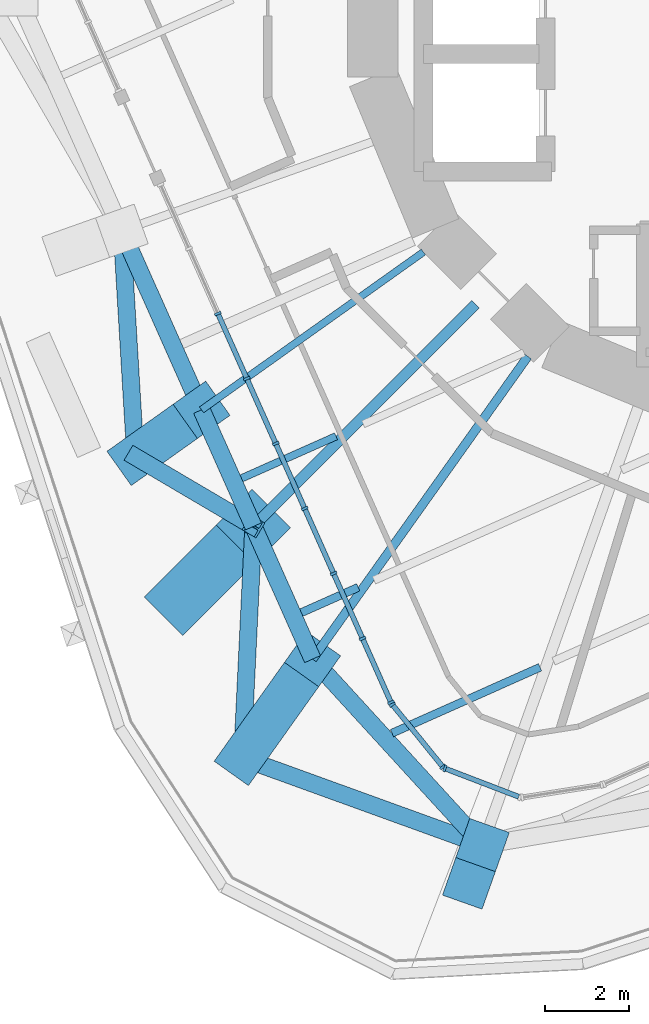
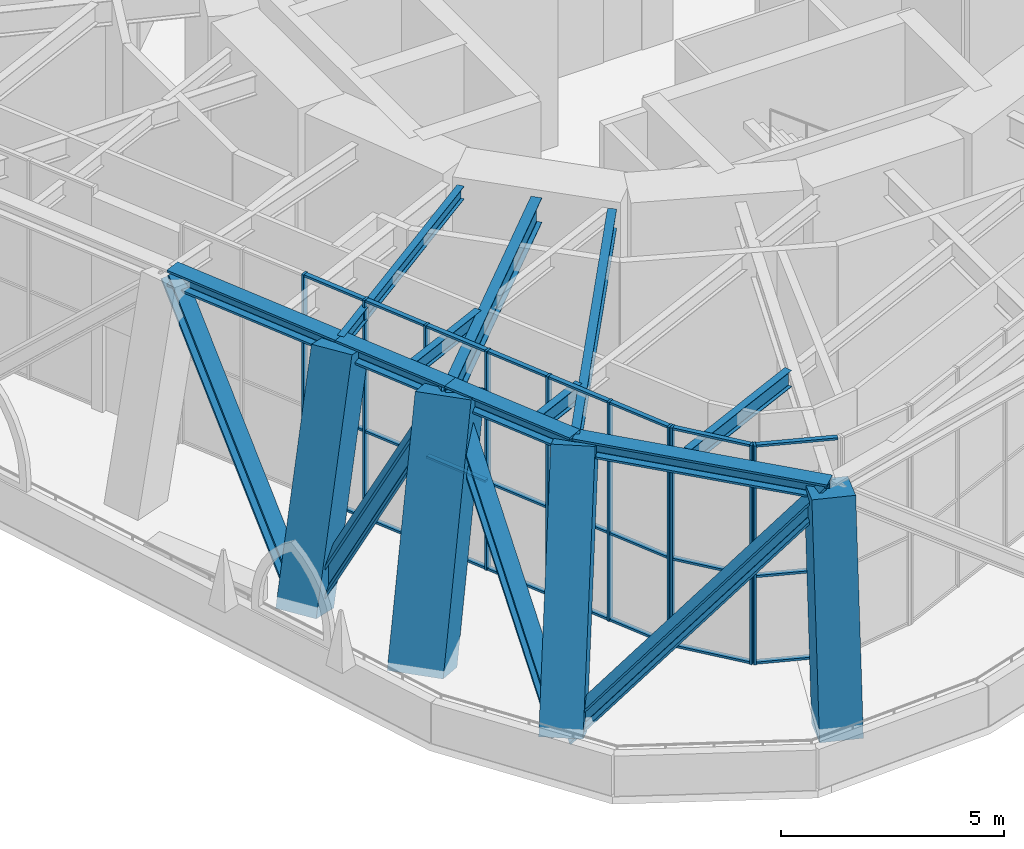
# One storey, part 1 of 18: 46 members, 6 beams, 3 elements without a shape of their own.
"""IFC4 building model written with IfcOpenShell, lengths in metres."""

from ifc_helpers import new_model, si_unit, direction, frame, origin, origin_2d, place, context, subcontext, project, spatial, rectangle, i_section, extrude, material, material_profile, profile_set, type_object, element, aggregate, save


model = new_model("IFC4")

# Units and contexts
model_context = context("Model", 3, precision=1e-05, world=origin(), true_north=direction((0.0, 1.0)))
body_context = subcontext(model_context, "Body", "Model", "MODEL_VIEW")
ifc_project = project(units=[si_unit("LENGTHUNIT", "METRE"), si_unit("AREAUNIT", "SQUARE_METRE"), si_unit("VOLUMEUNIT", "CUBIC_METRE"), si_unit("PLANEANGLEUNIT", "RADIAN"), si_unit("MASSUNIT", "GRAM", prefix="KILO")], contexts=[model_context])

# Site, building, storey
site_placement = place(None, origin())
site = spatial("IfcSite", under=ifc_project, at=site_placement, CompositionType="ELEMENT")
building_placement = place(site_placement, origin())
building = spatial("IfcBuilding", under=site, at=building_placement, Name="Nakasero Lantern House", CompositionType="ELEMENT")
storey_placement = place(building_placement, frame((0.0, 0.0, 176.449951171875)))
storey = spatial("IfcBuildingStorey", under=building, at=storey_placement, Name="L43", CompositionType="ELEMENT", Elevation=176.449951171875)

# Members
ifc_material_1 = material(Name="Steel S355", Category="steel")
ifc_material_profile_1 = material_profile(ifc_material_1, i_section(OverallWidth=0.412109375, OverallDepth=0.4365234375, WebThickness=0.035888671875, FlangeThickness=0.05810546875, FilletRadius=0.01513671875, at=origin_2d()), Name="UC 356x406x467")
ifc_profile_set_1 = profile_set([ifc_material_profile_1], Name="Steel S355")
member_type_1 = type_object("IfcMemberType", Name="Belt truss chord UC 356x406x467", PredefinedType="CHORD", material=ifc_profile_set_1)
member_1_placement = place(storey_placement, frame((-15.781982421875, -5.611328125, 5.581787109375), z_axis=(0.406701600856, -0.913561058639, 0.0), x_axis=(0.913561058639, 0.406701600856, 0.0)))
element("IfcMember", 1, at=member_1_placement, inside=storey, type_object=member_type_1, Name="Belt truss top chord T4 B5-C16T", PredefinedType="CHORD", context=body_context, shape_type="SweptSolid", body=[
    extrude(i_section(OverallWidth=0.412109375, OverallDepth=0.4365234375, WebThickness=0.035888671875, FlangeThickness=0.05810546875, FilletRadius=0.01513671875, at=origin_2d()), origin(), (0.0, 0.0, 1.0), 4.66552734375),
])
member_2_placement = place(storey_placement, frame((-13.884521484375, -9.87353515625, 5.581787109375), z_axis=(0.40671251915, -0.913556197925, 0.0), x_axis=(0.913556197925, 0.40671251915, 0.0)))
element("IfcMember", 2, at=member_2_placement, inside=storey, type_object=member_type_1, Name="Belt truss top chord T4 B5-C17T", PredefinedType="CHORD", context=body_context, shape_type="SweptSolid", body=[
    extrude(i_section(OverallWidth=0.412109375, OverallDepth=0.4365234375, WebThickness=0.035888671875, FlangeThickness=0.05810546875, FilletRadius=0.01513671875, at=origin_2d()), origin(), (0.0, 0.0, 1.0), 3.0380859375),
])
member_3_placement = place(storey_placement, frame((-12.64892578125, -12.64892578125, 5.581787109375), z_axis=(0.406760506795, -0.913534832457, 0.0), x_axis=(0.913534832457, 0.406760506795, 0.0)))
element("IfcMember", 3, at=member_3_placement, inside=storey, type_object=member_type_1, Name="Belt truss top chord T4 B5-C18T", PredefinedType="CHORD", context=body_context, shape_type="SweptSolid", body=[
    extrude(i_section(OverallWidth=0.412109375, OverallDepth=0.4365234375, WebThickness=0.035888671875, FlangeThickness=0.05810546875, FilletRadius=0.01513671875, at=origin_2d()), origin(), (0.0, 0.0, 1.0), 3.458984375),
])
member_4_placement = place(storey_placement, frame((-11.241943359375, -15.808837890625, 5.581787109375), z_axis=(0.674771099966, -0.73802707447, 0.0), x_axis=(0.73802707447, 0.674771099966, 0.0)))
element("IfcMember", 4, at=member_4_placement, inside=storey, type_object=member_type_1, Name="Belt truss top chord T4 B5-C19T", PredefinedType="CHORD", context=body_context, shape_type="SweptSolid", body=[
    extrude(i_section(OverallWidth=0.412109375, OverallDepth=0.4365234375, WebThickness=0.035888671875, FlangeThickness=0.05810546875, FilletRadius=0.01513671875, at=origin_2d()), origin(), (0.0, 0.0, 1.0), 5.997802734375),
])
ifc_material_2 = material(Name="Steel S355", Category="steel")
ifc_material_profile_2 = material_profile(ifc_material_2, i_section(OverallWidth=0.412109375, OverallDepth=0.4365234375, WebThickness=0.035888671875, FlangeThickness=0.05810546875, FilletRadius=0.01513671875, at=origin_2d()), Name="UC 356x406x467")
ifc_profile_set_2 = profile_set([ifc_material_profile_2], Name="Steel S355")
member_type_2 = type_object("IfcMemberType", Name="Belt truss diagonal UC 356x406x467", PredefinedType="BRACE", material=ifc_profile_set_2)
member_5_placement = place(storey_placement, frame((-15.781982421875, -5.611328125, 5.581787109375), z_axis=(0.039980645489, -0.66720161227, -0.743803439472), x_axis=(0.998209444566, 0.059815589761, 0.0)))
element("IfcMember", 5, at=member_5_placement, inside=storey, type_object=member_type_2, Name="Belt truss diagonal T4-16", PredefinedType="BRACE", context=body_context, shape_type="SweptSolid", body=[
    extrude(i_section(OverallWidth=0.412109375, OverallDepth=0.4365234375, WebThickness=0.035888671875, FlangeThickness=0.05810546875, FilletRadius=0.01513671875, at=origin_2d()), origin(), (0.0, 0.0, 1.0), 8.066650390625),
])
member_6_placement = place(storey_placement, frame((-15.45947265625, -10.993408203125, -0.418212890625), z_axis=(0.411539921993, -0.242412457526, 0.878561946047), x_axis=(0.507533571521, 0.861631982797, 0.0)))
element("IfcMember", 6, at=member_6_placement, inside=storey, type_object=member_type_2, Name="Belt truss diagonal T4-17", PredefinedType="BRACE", context=body_context, shape_type="SweptSolid", body=[
    extrude(i_section(OverallWidth=0.412109375, OverallDepth=0.4365234375, WebThickness=0.035888671875, FlangeThickness=0.05810546875, FilletRadius=0.01513671875, at=origin_2d()), origin(), (0.0, 0.0, 1.0), 6.829345703125),
])
member_7_placement = place(storey_placement, frame((-12.64892578125, -12.64892578125, 5.581787109375), z_axis=(-0.032758249817, -0.676305146581, -0.735892822208), x_axis=(0.998828984534, -0.048380364344, 0.0)))
element("IfcMember", 7, at=member_7_placement, inside=storey, type_object=member_type_2, Name="Belt truss diagonal T4-18", PredefinedType="BRACE", context=body_context, shape_type="SweptSolid", body=[
    extrude(i_section(OverallWidth=0.412109375, OverallDepth=0.4365234375, WebThickness=0.035888671875, FlangeThickness=0.05810546875, FilletRadius=0.01513671875, at=origin_2d()), origin(), (0.0, 0.0, 1.0), 8.1533203125),
])
member_8_placement = place(storey_placement, frame((-12.916015625, -18.1630859375, -0.418212890625), z_axis=(0.669494142696, -0.242496640915, 0.702120340142), x_axis=(0.340557282505, 0.940223769819, 0.0)))
element("IfcMember", 8, at=member_8_placement, inside=storey, type_object=member_type_2, Name="Belt truss diagonal T4-19", PredefinedType="BRACE", context=body_context, shape_type="SweptSolid", body=[
    extrude(i_section(OverallWidth=0.412109375, OverallDepth=0.4365234375, WebThickness=0.035888671875, FlangeThickness=0.05810546875, FilletRadius=0.01513671875, at=origin_2d()), origin(), (0.0, 0.0, 1.0), 8.545654296875),
])

# Beams
ifc_material_3 = material(Name="Steel S355", Category="steel")
ifc_material_profile_3 = material_profile(ifc_material_3, i_section(OverallWidth=0.177978515625, OverallDepth=0.406494140625, WebThickness=0.0078125, FlangeThickness=0.0126953125, FilletRadius=0.01025390625, at=origin_2d()), Name="UB 406x178x60")
ifc_profile_set_3 = profile_set([ifc_material_profile_3], Name="Steel S355")
beam_type_1 = type_object("IfcBeamType", Name="Infill beam UB 406x178x60", PredefinedType="JOIST", material=ifc_profile_set_3)
beam_1_placement = place(storey_placement, frame((-12.9326171875, -11.5048828125, 5.596923828125), z_axis=(0.913533406839, 0.406763708546, 0.0), x_axis=(-0.406763708546, 0.913533406839, 0.0)))
element("IfcBeam", 9, at=beam_1_placement, inside=storey, type_object=beam_type_1, Name="Infill beam L44 06.1", PredefinedType="JOIST", context=body_context, shape_type="SweptSolid", body=[
    extrude(i_section(OverallWidth=0.177978515625, OverallDepth=0.406494140625, WebThickness=0.0078125, FlangeThickness=0.0126953125, FilletRadius=0.01025390625, at=origin_2d()), origin(), (0.0, 0.0, 1.0), 2.463134765625),
])
ifc_material_4 = material(Name="Steel S355", Category="steel")
ifc_material_profile_4 = material_profile(ifc_material_4, i_section(OverallWidth=0.18994140625, OverallDepth=0.453369140625, WebThickness=0.008544921875, FlangeThickness=0.0126953125, FilletRadius=0.01025390625, at=origin_2d()), Name="UB 457x191x67")
ifc_profile_set_4 = profile_set([ifc_material_profile_4], Name="Steel S355")
beam_type_2 = type_object("IfcBeamType", Name="Infill beam UB 457x191x67", PredefinedType="JOIST", material=ifc_profile_set_4)
beam_2_placement = place(storey_placement, frame((-9.350341796875, -17.572265625, 5.5732421875), z_axis=(0.913563480044, 0.406696161685, 0.0), x_axis=(-0.406696161685, 0.913563480044, 0.0)))
element("IfcBeam", 10, at=beam_2_placement, inside=storey, type_object=beam_type_2, Name="Infill beam L44 04.1", PredefinedType="JOIST", context=body_context, shape_type="SweptSolid", body=[
    extrude(i_section(OverallWidth=0.18994140625, OverallDepth=0.453369140625, WebThickness=0.008544921875, FlangeThickness=0.0126953125, FilletRadius=0.01025390625, at=origin_2d()), origin(), (0.0, 0.0, 1.0), 3.858154296875),
])
ifc_material_5 = material(Name="Steel S355", Category="steel")
ifc_material_profile_5 = material_profile(ifc_material_5, i_section(OverallWidth=0.19140625, OverallDepth=0.4599609375, WebThickness=0.010009765625, FlangeThickness=0.01611328125, FilletRadius=0.01025390625, at=origin_2d()), Name="UB 457x191x82")
ifc_profile_set_5 = profile_set([ifc_material_profile_5], Name="Steel S355")
beam_type_3 = type_object("IfcBeamType", Name="Infill beam UB 457x191x82", PredefinedType="JOIST", material=ifc_profile_set_5)
beam_3_placement = place(storey_placement, frame((-11.509033203125, -14.7021484375, 5.570068359375), z_axis=(0.91356004198, 0.406703884538, 0.0), x_axis=(-0.406703884538, 0.91356004198, 0.0)))
element("IfcBeam", 11, at=beam_3_placement, inside=storey, type_object=beam_type_3, Name="Infill beam L44 05.1", PredefinedType="JOIST", context=body_context, shape_type="SweptSolid", body=[
    extrude(i_section(OverallWidth=0.19140625, OverallDepth=0.4599609375, WebThickness=0.010009765625, FlangeThickness=0.01611328125, FilletRadius=0.01025390625, at=origin_2d()), origin(), (0.0, 0.0, 1.0), 1.482177734375),
])

# Curtain wall, members
ifc_material_6 = material(Name="Aluminium 6063-T6 and glass", Category="aluminium")
curtain_wall_type = type_object("IfcCurtainWallType", Name="Sky lounge glazing CW-3", PredefinedType="USERDEFINED", material=ifc_material_6)
curtain_wall_1_placement = place(storey_placement, origin())
curtain_wall_1 = element("IfcCurtainWall", 12, at=curtain_wall_1_placement, inside=storey, type_object=curtain_wall_type, Name="Curtain wall CW-3 L43", ObjectType="STICK CURTAIN WALL", PredefinedType="USERDEFINED")
ifc_material_7 = material(Name="Aluminium 6063-T6", Category="aluminium")
ifc_material_profile_6 = material_profile(ifc_material_7, rectangle(XDim=0.06005859375, YDim=0.159912109375, at=origin_2d()), Name="CW-3 mullion 60x160")
ifc_profile_set_6 = profile_set([ifc_material_profile_6], Name="Aluminium 6063-T6")
member_type_3 = type_object("IfcMemberType", Name="Mullion CW-3", PredefinedType="MULLION", material=ifc_profile_set_6)
member_9_placement = place(storey_placement, frame((-13.495849609375, -7.582275390625, 0.0), z_axis=(0.0, 0.0, 1.0), x_axis=(0.406736643076, -0.913545457643, 0.0)))
member_9 = element("IfcMember", 13, at=member_9_placement, type_object=member_type_3, Name="CW-3 mullion 3", PredefinedType="MULLION", context=body_context, shape_type="SweptSolid", body=[
    extrude(rectangle(XDim=0.06005859375, YDim=0.159912109375, at=origin_2d()), origin(), (0.0, 0.0, 1.0), 6.0),
])
member_10_placement = place(storey_placement, frame((-12.806884765625, -9.129638671875, 0.0), z_axis=(0.0, 0.0, 1.0), x_axis=(0.406736643076, -0.913545457643, 0.0)))
member_10 = element("IfcMember", 14, at=member_10_placement, type_object=member_type_3, Name="CW-3 mullion 4", PredefinedType="MULLION", context=body_context, shape_type="SweptSolid", body=[
    extrude(rectangle(XDim=0.06005859375, YDim=0.159912109375, at=origin_2d()), origin(), (0.0, 0.0, 1.0), 6.0),
])
member_11_placement = place(storey_placement, frame((-12.117919921875, -10.677001953125, 0.0), z_axis=(0.0, 0.0, 1.0), x_axis=(0.406736643076, -0.913545457643, 0.0)))
member_11 = element("IfcMember", 15, at=member_11_placement, type_object=member_type_3, Name="CW-3 mullion 5", PredefinedType="MULLION", context=body_context, shape_type="SweptSolid", body=[
    extrude(rectangle(XDim=0.06005859375, YDim=0.159912109375, at=origin_2d()), origin(), (0.0, 0.0, 1.0), 6.0),
])
member_12_placement = place(storey_placement, frame((-11.428955078125, -12.22412109375, 0.0), z_axis=(0.0, 0.0, 1.0), x_axis=(0.406736643076, -0.913545457643, 0.0)))
member_12 = element("IfcMember", 16, at=member_12_placement, type_object=member_type_3, Name="CW-3 mullion 6", PredefinedType="MULLION", context=body_context, shape_type="SweptSolid", body=[
    extrude(rectangle(XDim=0.06005859375, YDim=0.159912109375, at=origin_2d()), origin(), (0.0, 0.0, 1.0), 6.0),
])
member_13_placement = place(storey_placement, frame((-10.740234375, -13.771484375, 0.0), z_axis=(0.0, 0.0, 1.0), x_axis=(0.406736643076, -0.913545457643, 0.0)))
member_13 = element("IfcMember", 17, at=member_13_placement, type_object=member_type_3, Name="CW-3 mullion 7", PredefinedType="MULLION", context=body_context, shape_type="SweptSolid", body=[
    extrude(rectangle(XDim=0.06005859375, YDim=0.159912109375, at=origin_2d()), origin(), (0.0, 0.0, 1.0), 6.0),
])
member_14_placement = place(storey_placement, frame((-10.05126953125, -15.31884765625, 0.0), z_axis=(0.0, 0.0, 1.0), x_axis=(0.406736643076, -0.913545457643, 0.0)))
member_14 = element("IfcMember", 18, at=member_14_placement, type_object=member_type_3, Name="CW-3 mullion 8", PredefinedType="MULLION", context=body_context, shape_type="SweptSolid", body=[
    extrude(rectangle(XDim=0.06005859375, YDim=0.159912109375, at=origin_2d()), origin(), (0.0, 0.0, 1.0), 6.0),
])
member_15_placement = place(storey_placement, frame((-9.37451171875, -16.8388671875, 0.0), z_axis=(0.0, 0.0, 1.0), x_axis=(0.406736643076, -0.913545457643, 0.0)))
member_15 = element("IfcMember", 19, at=member_15_placement, type_object=member_type_3, Name="CW-3 mullion 9", PredefinedType="MULLION", context=body_context, shape_type="SweptSolid", body=[
    extrude(rectangle(XDim=0.06005859375, YDim=0.159912109375, at=origin_2d()), origin(), (0.0, 0.0, 1.0), 6.0),
])

curtain_wall_2_placement = place(storey_placement, origin())
curtain_wall_2 = element("IfcCurtainWall", 20, at=curtain_wall_2_placement, inside=storey, type_object=curtain_wall_type, Name="Curtain wall CW-3 L43", ObjectType="STICK CURTAIN WALL", PredefinedType="USERDEFINED")
member_16_placement = place(storey_placement, frame((-9.343505859375, -16.889404296875, 0.0), z_axis=(0.0, 0.0, 1.0), x_axis=(0.62932039105, -0.777145961457, 0.0)))
member_16 = element("IfcMember", 21, at=member_16_placement, type_object=member_type_3, Name="CW-3 mullion 1", PredefinedType="MULLION", context=body_context, shape_type="SweptSolid", body=[
    extrude(rectangle(XDim=0.06005859375, YDim=0.159912109375, at=origin_2d()), origin(), (0.0, 0.0, 1.0), 6.0),
])
member_17_placement = place(storey_placement, frame((-8.13916015625, -18.376708984375, 0.0), z_axis=(0.0, 0.0, 1.0), x_axis=(0.62932039105, -0.777145961457, 0.0)))
member_17 = element("IfcMember", 22, at=member_17_placement, type_object=member_type_3, Name="CW-3 mullion 2", PredefinedType="MULLION", context=body_context, shape_type="SweptSolid", body=[
    extrude(rectangle(XDim=0.06005859375, YDim=0.159912109375, at=origin_2d()), origin(), (0.0, 0.0, 1.0), 6.0),
])

# Curtain wall, member
curtain_wall_3_placement = place(storey_placement, origin())
curtain_wall_3 = element("IfcCurtainWall", 23, at=curtain_wall_3_placement, inside=storey, type_object=curtain_wall_type, Name="Curtain wall CW-3 L43", ObjectType="STICK CURTAIN WALL", PredefinedType="USERDEFINED")
member_18_placement = place(storey_placement, frame((-8.09228515625, -18.410888671875, 0.0), z_axis=(0.0, 0.0, 1.0), x_axis=(0.933580426497, -0.358367949545, 0.0)))
member_18 = element("IfcMember", 24, at=member_18_placement, type_object=member_type_3, Name="CW-3 mullion 1", PredefinedType="MULLION", context=body_context, shape_type="SweptSolid", body=[
    extrude(rectangle(XDim=0.06005859375, YDim=0.159912109375, at=origin_2d()), origin(), (0.0, 0.0, 1.0), 6.0),
])

# Beams
ifc_material_8 = material(Name="Steel S355", Category="steel")
ifc_material_profile_7 = material_profile(ifc_material_8, i_section(OverallWidth=0.17138671875, OverallDepth=0.35498046875, WebThickness=0.00732421875, FlangeThickness=0.011474609375, FilletRadius=0.01025390625, at=origin_2d()), Name="UB 356x171x51")
ifc_profile_set_7 = profile_set([ifc_material_profile_7], Name="Steel S355")
beam_type_4 = type_object("IfcBeamType", Name="Primary beam UB 356x171x51, span 6 to 9 m", PredefinedType="BEAM", material=ifc_profile_set_7)
beam_4_placement = place(storey_placement, frame((-13.884521484375, -9.87353515625, 5.62255859375), z_axis=(0.8149430702, 0.57954101868, 0.0), x_axis=(-0.57954101868, 0.8149430702, 0.0)))
element("IfcBeam", 25, at=beam_4_placement, inside=storey, type_object=beam_type_4, Name="Primary beam L44 B5-C17T", PredefinedType="BEAM", context=body_context, shape_type="SweptSolid", body=[
    extrude(i_section(OverallWidth=0.17138671875, OverallDepth=0.35498046875, WebThickness=0.00732421875, FlangeThickness=0.011474609375, FilletRadius=0.01025390625, at=origin_2d()), origin(), (0.0, 0.0, 1.0), 6.48193359375),
])
ifc_material_9 = material(Name="Steel S355", Category="steel")
ifc_material_profile_8 = material_profile(ifc_material_9, i_section(OverallWidth=0.2099609375, OverallDepth=0.53662109375, WebThickness=0.0107421875, FlangeThickness=0.017333984375, FilletRadius=0.0126953125, at=origin_2d()), Name="UB 533x210x101")
ifc_profile_set_8 = profile_set([ifc_material_profile_8], Name="Steel S355")
beam_type_5 = type_object("IfcBeamType", Name="Primary beam UB 533x210x101, span 6 to 9 m", PredefinedType="BEAM", material=ifc_profile_set_8)
beam_5_placement = place(storey_placement, frame((-11.241943359375, -15.808837890625, 5.53173828125), z_axis=(0.579536824926, 0.814946052543, 0.0), x_axis=(-0.814946052543, 0.579536824926, 0.0)))
element("IfcBeam", 26, at=beam_5_placement, inside=storey, type_object=beam_type_5, Name="Primary beam L44 B5-C19T", PredefinedType="BEAM", context=body_context, shape_type="SweptSolid", body=[
    extrude(i_section(OverallWidth=0.2099609375, OverallDepth=0.53662109375, WebThickness=0.0107421875, FlangeThickness=0.017333984375, FilletRadius=0.0126953125, at=origin_2d()), origin(), (0.0, 0.0, 1.0), 8.84326171875),
])
ifc_material_10 = material(Name="Steel S355", Category="steel")
ifc_material_profile_9 = material_profile(ifc_material_10, i_section(OverallWidth=0.253662109375, OverallDepth=0.68359375, WebThickness=0.012451171875, FlangeThickness=0.01904296875, FilletRadius=0.01513671875, at=origin_2d()), Name="UB 686x254x140")
ifc_profile_set_9 = profile_set([ifc_material_profile_9], Name="Steel S355")
beam_type_6 = type_object("IfcBeamType", Name="Primary beam UB 686x254x140, span 6 to 9 m", PredefinedType="BEAM", material=ifc_profile_set_9)
beam_6_placement = place(storey_placement, frame((-12.64892578125, -12.64892578125, 5.458251953125), z_axis=(0.707106781187, 0.707106781187, 0.0), x_axis=(-0.707106781187, 0.707106781187, 0.0)))
element("IfcBeam", 27, at=beam_6_placement, inside=storey, type_object=beam_type_6, Name="Primary beam L44 B5-C18T", PredefinedType="BEAM", context=body_context, shape_type="SweptSolid", body=[
    extrude(i_section(OverallWidth=0.253662109375, OverallDepth=0.68359375, WebThickness=0.012451171875, FlangeThickness=0.01904296875, FilletRadius=0.01513671875, at=origin_2d()), origin(), (0.0, 0.0, 1.0), 7.48046875),
])

# Members
ifc_material_11 = material(Name="Concrete C50/60", Category="concrete")
ifc_material_profile_10 = material_profile(ifc_material_11, rectangle(XDim=1.0, YDim=1.0, at=origin_2d()), Name="RC 1000x1000")
ifc_profile_set_10 = profile_set([ifc_material_profile_10], Name="Concrete C50/60")
member_type_4 = type_object("IfcMemberType", Name="Raking column RC 1000x1000 C50/60", PredefinedType="STRUT", material=ifc_profile_set_10)
member_19_placement = place(storey_placement, frame((-15.45947265625, -10.993408203125, -0.418212890625), z_axis=(0.249851949923, 0.177657866113, 0.951846461215), x_axis=(-0.579492088584, 0.814977864281, 0.0)))
element("IfcMember", 28, at=member_19_placement, inside=storey, type_object=member_type_4, Name="Raking column B5-C17T L43", PredefinedType="STRUT", context=body_context, shape_type="SweptSolid", body=[
    extrude(rectangle(XDim=1.0, YDim=1.0, at=origin_2d()), origin(), (0.0, 0.0, 1.0), 6.303466796875),
])
member_20_placement = place(storey_placement, frame((-12.916015625, -18.1630859375, -0.418212890625), z_axis=(0.251392237263, 0.353532936259, 0.901008549362), x_axis=(-0.814965081358, 0.57951006563, 0.0)))
element("IfcMember", 29, at=member_20_placement, inside=storey, type_object=member_type_4, Name="Raking column B5-C19T L43", PredefinedType="STRUT", context=body_context, shape_type="SweptSolid", body=[
    extrude(rectangle(XDim=1.0, YDim=1.0, at=origin_2d()), origin(), (0.0, 0.0, 1.0), 6.6591796875),
])
member_21_placement = place(storey_placement, frame((-7.5126953125, -21.129638671875, -0.418212890625), z_axis=(0.052327886683, 0.147217395485, 0.987719003939), x_axis=(-0.942247164288, 0.334918320476, 0.0)))
element("IfcMember", 30, at=member_21_placement, inside=storey, type_object=member_type_4, Name="Raking column B5-C20T L43", PredefinedType="STRUT", context=body_context, shape_type="SweptSolid", body=[
    extrude(rectangle(XDim=1.0, YDim=1.0, at=origin_2d()), origin(), (0.0, 0.0, 1.0), 6.07470703125),
])
ifc_material_12 = material(Name="Concrete C50/60", Category="concrete")
ifc_material_profile_11 = material_profile(ifc_material_12, rectangle(XDim=1.300048828125, YDim=1.300048828125, at=origin_2d()), Name="RC 1300x1300")
ifc_profile_set_11 = profile_set([ifc_material_profile_11], Name="Concrete C50/60")
member_type_5 = type_object("IfcMemberType", Name="Raking column RC 1300x1300 C50/60", PredefinedType="STRUT", material=ifc_profile_set_11)
member_22_placement = place(storey_placement, frame((-14.3642578125, -14.3642578125, -0.418212890625), z_axis=(0.265045446848, 0.265045446848, 0.927093211177), x_axis=(-0.707106781187, 0.707106781187, 0.0)))
element("IfcMember", 31, at=member_22_placement, inside=storey, type_object=member_type_5, Name="Raking column B5-C18T L43", PredefinedType="STRUT", context=body_context, shape_type="SweptSolid", body=[
    extrude(rectangle(XDim=1.300048828125, YDim=1.300048828125, at=origin_2d()), origin(), (0.0, 0.0, 1.0), 6.471923828125),
])

# Member
ifc_material_13 = material(Name="Aluminium 6063-T6", Category="aluminium")
ifc_material_profile_12 = material_profile(ifc_material_13, rectangle(XDim=0.06005859375, YDim=0.1201171875, at=origin_2d()), Name="CW-3 transom 60x120")
ifc_profile_set_12 = profile_set([ifc_material_profile_12], Name="Aluminium 6063-T6")
member_type_6 = type_object("IfcMemberType", Name="Transom CW-3", PredefinedType="USERDEFINED", material=ifc_profile_set_12)
member_23_placement = place(storey_placement, frame((-13.483642578125, -7.609619140625, 0.030029296875), z_axis=(0.406776183997, -0.913527851865, 0.0), x_axis=(0.0, 0.0, 1.0)))
member_23 = element("IfcMember", 32, at=member_23_placement, type_object=member_type_6, Name="CW-3 transom 3.1", ObjectType="TRANSOM", PredefinedType="USERDEFINED", context=body_context, shape_type="SweptSolid", body=[
    extrude(rectangle(XDim=0.06005859375, YDim=0.1201171875, at=origin_2d()), origin(), (0.0, 0.0, 1.0), 1.6337890625),
])

member_24_placement = place(storey_placement, frame((-13.483642578125, -7.609619140625, 2.400146484375), z_axis=(0.406776183997, -0.913527851865, 0.0), x_axis=(0.0, 0.0, 1.0)))
member_24 = element("IfcMember", 33, at=member_24_placement, type_object=member_type_6, Name="CW-3 transom 3.2", ObjectType="TRANSOM", PredefinedType="USERDEFINED", context=body_context, shape_type="SweptSolid", body=[
    extrude(rectangle(XDim=0.06005859375, YDim=0.1201171875, at=origin_2d()), origin(), (0.0, 0.0, 1.0), 1.6337890625),
])

member_25_placement = place(storey_placement, frame((-13.483642578125, -7.609619140625, 5.969970703125), z_axis=(0.406776183997, -0.913527851865, 0.0), x_axis=(0.0, 0.0, 1.0)))
member_25 = element("IfcMember", 34, at=member_25_placement, type_object=member_type_6, Name="CW-3 transom 3.3", ObjectType="TRANSOM", PredefinedType="USERDEFINED", context=body_context, shape_type="SweptSolid", body=[
    extrude(rectangle(XDim=0.06005859375, YDim=0.1201171875, at=origin_2d()), origin(), (0.0, 0.0, 1.0), 1.6337890625),
])

member_26_placement = place(storey_placement, frame((-12.794677734375, -9.156982421875, 0.030029296875), z_axis=(0.406776183997, -0.913527851865, 0.0), x_axis=(0.0, 0.0, 1.0)))
member_26 = element("IfcMember", 35, at=member_26_placement, type_object=member_type_6, Name="CW-3 transom 4.1", ObjectType="TRANSOM", PredefinedType="USERDEFINED", context=body_context, shape_type="SweptSolid", body=[
    extrude(rectangle(XDim=0.06005859375, YDim=0.1201171875, at=origin_2d()), origin(), (0.0, 0.0, 1.0), 1.6337890625),
])

member_27_placement = place(storey_placement, frame((-12.794677734375, -9.156982421875, 2.400146484375), z_axis=(0.406776183997, -0.913527851865, 0.0), x_axis=(0.0, 0.0, 1.0)))
member_27 = element("IfcMember", 36, at=member_27_placement, type_object=member_type_6, Name="CW-3 transom 4.2", ObjectType="TRANSOM", PredefinedType="USERDEFINED", context=body_context, shape_type="SweptSolid", body=[
    extrude(rectangle(XDim=0.06005859375, YDim=0.1201171875, at=origin_2d()), origin(), (0.0, 0.0, 1.0), 1.6337890625),
])

member_28_placement = place(storey_placement, frame((-12.794677734375, -9.156982421875, 5.969970703125), z_axis=(0.406776183997, -0.913527851865, 0.0), x_axis=(0.0, 0.0, 1.0)))
member_28 = element("IfcMember", 37, at=member_28_placement, type_object=member_type_6, Name="CW-3 transom 4.3", ObjectType="TRANSOM", PredefinedType="USERDEFINED", context=body_context, shape_type="SweptSolid", body=[
    extrude(rectangle(XDim=0.06005859375, YDim=0.1201171875, at=origin_2d()), origin(), (0.0, 0.0, 1.0), 1.6337890625),
])

member_29_placement = place(storey_placement, frame((-12.105712890625, -10.704345703125, 0.030029296875), z_axis=(0.406776183997, -0.913527851865, 0.0), x_axis=(0.0, 0.0, 1.0)))
member_29 = element("IfcMember", 38, at=member_29_placement, type_object=member_type_6, Name="CW-3 transom 5.1", ObjectType="TRANSOM", PredefinedType="USERDEFINED", context=body_context, shape_type="SweptSolid", body=[
    extrude(rectangle(XDim=0.06005859375, YDim=0.1201171875, at=origin_2d()), origin(), (0.0, 0.0, 1.0), 1.6337890625),
])

member_30_placement = place(storey_placement, frame((-12.105712890625, -10.704345703125, 2.400146484375), z_axis=(0.406776183997, -0.913527851865, 0.0), x_axis=(0.0, 0.0, 1.0)))
member_30 = element("IfcMember", 39, at=member_30_placement, type_object=member_type_6, Name="CW-3 transom 5.2", ObjectType="TRANSOM", PredefinedType="USERDEFINED", context=body_context, shape_type="SweptSolid", body=[
    extrude(rectangle(XDim=0.06005859375, YDim=0.1201171875, at=origin_2d()), origin(), (0.0, 0.0, 1.0), 1.6337890625),
])

member_31_placement = place(storey_placement, frame((-12.105712890625, -10.704345703125, 5.969970703125), z_axis=(0.406776183997, -0.913527851865, 0.0), x_axis=(0.0, 0.0, 1.0)))
member_31 = element("IfcMember", 40, at=member_31_placement, type_object=member_type_6, Name="CW-3 transom 5.3", ObjectType="TRANSOM", PredefinedType="USERDEFINED", context=body_context, shape_type="SweptSolid", body=[
    extrude(rectangle(XDim=0.06005859375, YDim=0.1201171875, at=origin_2d()), origin(), (0.0, 0.0, 1.0), 1.6337890625),
])

member_32_placement = place(storey_placement, frame((-11.416748046875, -12.251708984375, 0.030029296875), z_axis=(0.40665145984, -0.913583378904, 0.0), x_axis=(0.0, 0.0, 1.0)))
member_32 = element("IfcMember", 41, at=member_32_placement, type_object=member_type_6, Name="CW-3 transom 6.1", ObjectType="TRANSOM", PredefinedType="USERDEFINED", context=body_context, shape_type="SweptSolid", body=[
    extrude(rectangle(XDim=0.06005859375, YDim=0.1201171875, at=origin_2d()), origin(), (0.0, 0.0, 1.0), 1.633544921875),
])

member_33_placement = place(storey_placement, frame((-11.416748046875, -12.251708984375, 2.400146484375), z_axis=(0.40665145984, -0.913583378904, 0.0), x_axis=(0.0, 0.0, 1.0)))
member_33 = element("IfcMember", 42, at=member_33_placement, type_object=member_type_6, Name="CW-3 transom 6.2", ObjectType="TRANSOM", PredefinedType="USERDEFINED", context=body_context, shape_type="SweptSolid", body=[
    extrude(rectangle(XDim=0.06005859375, YDim=0.1201171875, at=origin_2d()), origin(), (0.0, 0.0, 1.0), 1.633544921875),
])

member_34_placement = place(storey_placement, frame((-11.416748046875, -12.251708984375, 5.969970703125), z_axis=(0.40665145984, -0.913583378904, 0.0), x_axis=(0.0, 0.0, 1.0)))
member_34 = element("IfcMember", 43, at=member_34_placement, type_object=member_type_6, Name="CW-3 transom 6.3", ObjectType="TRANSOM", PredefinedType="USERDEFINED", context=body_context, shape_type="SweptSolid", body=[
    extrude(rectangle(XDim=0.06005859375, YDim=0.1201171875, at=origin_2d()), origin(), (0.0, 0.0, 1.0), 1.633544921875),
])

member_35_placement = place(storey_placement, frame((-10.72802734375, -13.798828125, 0.030029296875), z_axis=(0.406720658648, -0.913552574201, 0.0), x_axis=(0.0, 0.0, 1.0)))
member_35 = element("IfcMember", 44, at=member_35_placement, type_object=member_type_6, Name="CW-3 transom 7.1", ObjectType="TRANSOM", PredefinedType="USERDEFINED", context=body_context, shape_type="SweptSolid", body=[
    extrude(rectangle(XDim=0.06005859375, YDim=0.1201171875, at=origin_2d()), origin(), (0.0, 0.0, 1.0), 1.634033203125),
])

member_36_placement = place(storey_placement, frame((-10.72802734375, -13.798828125, 2.400146484375), z_axis=(0.406720658648, -0.913552574201, 0.0), x_axis=(0.0, 0.0, 1.0)))
member_36 = element("IfcMember", 45, at=member_36_placement, type_object=member_type_6, Name="CW-3 transom 7.2", ObjectType="TRANSOM", PredefinedType="USERDEFINED", context=body_context, shape_type="SweptSolid", body=[
    extrude(rectangle(XDim=0.06005859375, YDim=0.1201171875, at=origin_2d()), origin(), (0.0, 0.0, 1.0), 1.634033203125),
])

member_37_placement = place(storey_placement, frame((-10.72802734375, -13.798828125, 5.969970703125), z_axis=(0.406720658648, -0.913552574201, 0.0), x_axis=(0.0, 0.0, 1.0)))
member_37 = element("IfcMember", 46, at=member_37_placement, type_object=member_type_6, Name="CW-3 transom 7.3", ObjectType="TRANSOM", PredefinedType="USERDEFINED", context=body_context, shape_type="SweptSolid", body=[
    extrude(rectangle(XDim=0.06005859375, YDim=0.1201171875, at=origin_2d()), origin(), (0.0, 0.0, 1.0), 1.634033203125),
])

member_38_placement = place(storey_placement, frame((-10.0390625, -15.34619140625, 0.030029296875), z_axis=(0.40675984915, -0.91353512528, 0.0), x_axis=(0.0, 0.0, 1.0)))
member_38 = element("IfcMember", 47, at=member_38_placement, type_object=member_type_6, Name="CW-3 transom 8.1", ObjectType="TRANSOM", PredefinedType="USERDEFINED", context=body_context, shape_type="SweptSolid", body=[
    extrude(rectangle(XDim=0.06005859375, YDim=0.1201171875, at=origin_2d()), origin(), (0.0, 0.0, 1.0), 1.603759765625),
])

member_39_placement = place(storey_placement, frame((-10.0390625, -15.34619140625, 2.400146484375), z_axis=(0.40675984915, -0.91353512528, 0.0), x_axis=(0.0, 0.0, 1.0)))
member_39 = element("IfcMember", 48, at=member_39_placement, type_object=member_type_6, Name="CW-3 transom 8.2", ObjectType="TRANSOM", PredefinedType="USERDEFINED", context=body_context, shape_type="SweptSolid", body=[
    extrude(rectangle(XDim=0.06005859375, YDim=0.1201171875, at=origin_2d()), origin(), (0.0, 0.0, 1.0), 1.603759765625),
])

member_40_placement = place(storey_placement, frame((-10.0390625, -15.34619140625, 5.969970703125), z_axis=(0.40675984915, -0.91353512528, 0.0), x_axis=(0.0, 0.0, 1.0)))
member_40 = element("IfcMember", 49, at=member_40_placement, type_object=member_type_6, Name="CW-3 transom 8.3", ObjectType="TRANSOM", PredefinedType="USERDEFINED", context=body_context, shape_type="SweptSolid", body=[
    extrude(rectangle(XDim=0.06005859375, YDim=0.1201171875, at=origin_2d()), origin(), (0.0, 0.0, 1.0), 1.603759765625),
])

aggregate(curtain_wall_1, [member_9, member_10, member_11, member_12, member_13, member_14, member_15, member_23, member_24, member_25, member_26, member_27, member_28, member_29, member_30, member_31, member_32, member_33, member_34, member_35, member_36, member_37, member_38, member_39, member_40])

member_41_placement = place(storey_placement, frame((-9.324462890625, -16.912841796875, 0.030029296875), z_axis=(0.629277788525, -0.777180458368, 0.0), x_axis=(0.0, 0.0, 1.0)))
member_41 = element("IfcMember", 50, at=member_41_placement, type_object=member_type_6, Name="CW-3 transom 1.1", ObjectType="TRANSOM", PredefinedType="USERDEFINED", context=body_context, shape_type="SweptSolid", body=[
    extrude(rectangle(XDim=0.06005859375, YDim=0.1201171875, at=origin_2d()), origin(), (0.0, 0.0, 1.0), 1.853759765625),
])

member_42_placement = place(storey_placement, frame((-9.324462890625, -16.912841796875, 2.400146484375), z_axis=(0.629277788525, -0.777180458368, 0.0), x_axis=(0.0, 0.0, 1.0)))
member_42 = element("IfcMember", 51, at=member_42_placement, type_object=member_type_6, Name="CW-3 transom 1.2", ObjectType="TRANSOM", PredefinedType="USERDEFINED", context=body_context, shape_type="SweptSolid", body=[
    extrude(rectangle(XDim=0.06005859375, YDim=0.1201171875, at=origin_2d()), origin(), (0.0, 0.0, 1.0), 1.853759765625),
])

member_43_placement = place(storey_placement, frame((-9.324462890625, -16.912841796875, 5.969970703125), z_axis=(0.629277788525, -0.777180458368, 0.0), x_axis=(0.0, 0.0, 1.0)))
member_43 = element("IfcMember", 52, at=member_43_placement, type_object=member_type_6, Name="CW-3 transom 1.3", ObjectType="TRANSOM", PredefinedType="USERDEFINED", context=body_context, shape_type="SweptSolid", body=[
    extrude(rectangle(XDim=0.06005859375, YDim=0.1201171875, at=origin_2d()), origin(), (0.0, 0.0, 1.0), 1.853759765625),
])

aggregate(curtain_wall_2, [member_16, member_17, member_41, member_42, member_43])

member_44_placement = place(storey_placement, frame((-8.064208984375, -18.421630859375, 0.030029296875), z_axis=(0.933589773422, -0.358343599024, 0.0), x_axis=(0.0, 0.0, 1.0)))
member_44 = element("IfcMember", 53, at=member_44_placement, type_object=member_type_6, Name="CW-3 transom 1.1", ObjectType="TRANSOM", PredefinedType="USERDEFINED", context=body_context, shape_type="SweptSolid", body=[
    extrude(rectangle(XDim=0.06005859375, YDim=0.1201171875, at=origin_2d()), origin(), (0.0, 0.0, 1.0), 1.853759765625),
])

member_45_placement = place(storey_placement, frame((-8.064208984375, -18.421630859375, 2.400146484375), z_axis=(0.933589773422, -0.358343599024, 0.0), x_axis=(0.0, 0.0, 1.0)))
member_45 = element("IfcMember", 54, at=member_45_placement, type_object=member_type_6, Name="CW-3 transom 1.2", ObjectType="TRANSOM", PredefinedType="USERDEFINED", context=body_context, shape_type="SweptSolid", body=[
    extrude(rectangle(XDim=0.06005859375, YDim=0.1201171875, at=origin_2d()), origin(), (0.0, 0.0, 1.0), 1.853759765625),
])

member_46_placement = place(storey_placement, frame((-8.064208984375, -18.421630859375, 5.969970703125), z_axis=(0.933589773422, -0.358343599024, 0.0), x_axis=(0.0, 0.0, 1.0)))
member_46 = element("IfcMember", 55, at=member_46_placement, type_object=member_type_6, Name="CW-3 transom 1.3", ObjectType="TRANSOM", PredefinedType="USERDEFINED", context=body_context, shape_type="SweptSolid", body=[
    extrude(rectangle(XDim=0.06005859375, YDim=0.1201171875, at=origin_2d()), origin(), (0.0, 0.0, 1.0), 1.853759765625),
])

aggregate(curtain_wall_3, [member_18, member_44, member_45, member_46])

save(model, "model.ifc")
